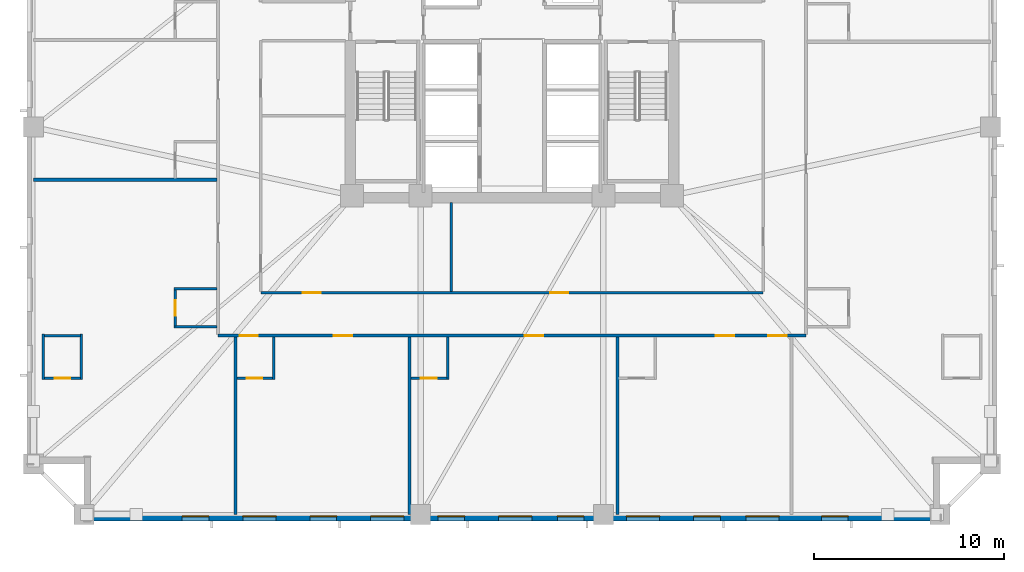
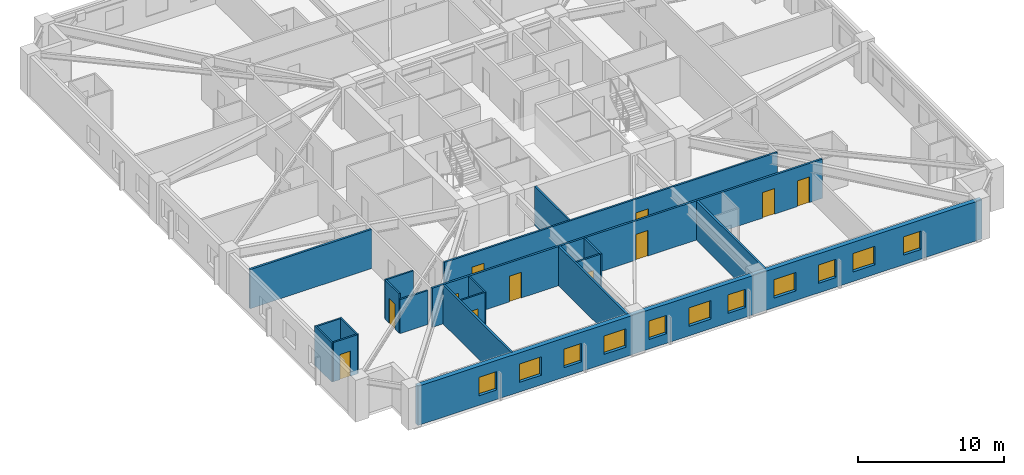
# One storey, part 2 of 12: 19 walls, 11 doors, 11 windows, 22 openings.
"""IFC4 building model written with IfcOpenShell, lengths in metres."""

from ifc_helpers import new_model, si_unit, direction, frame, frame_2d, origin, place, context, subcontext, project, spatial, rectangle, extrude, material, layer, layer_set, type_object, element, fill, save


model = new_model("IFC4")

# Units and contexts
model_context = context("Model", 3, precision=1e-05, world=origin(), true_north=direction((0.0, 1.0)))
body_context = subcontext(model_context, "Body", "Model", "MODEL_VIEW")
ifc_project = project(units=[si_unit("LENGTHUNIT", "METRE"), si_unit("AREAUNIT", "SQUARE_METRE"), si_unit("VOLUMEUNIT", "CUBIC_METRE"), si_unit("PLANEANGLEUNIT", "RADIAN"), si_unit("MASSUNIT", "GRAM", prefix="KILO")], contexts=[model_context])

# Site, building, storey
site_placement = place(None, origin())
site = spatial("IfcSite", under=ifc_project, at=site_placement, CompositionType="ELEMENT")
building_placement = place(site_placement, origin())
building = spatial("IfcBuilding", under=site, at=building_placement, Name="Cairnveth Concourse Tower", CompositionType="ELEMENT")
storey_placement = place(building_placement, frame((0.0, 0.0, 83.0)))
storey = spatial("IfcBuildingStorey", under=building, at=storey_placement, Name="L22", CompositionType="ELEMENT", Elevation=83.0)

# Wall, openings, doors
ifc_material_1 = material(Name="Gypsum Plasterboard Partition", Category="gypsum")
ifc_layer_1 = layer(ifc_material_1, 0.159912109375)
ifc_layer_set_1 = layer_set([ifc_layer_1], Name="Gypsum Plasterboard Partition")
wall_type_1 = type_object("IfcWallType", Name="ACOUSTIC PARTY WALL 180", PredefinedType="PARTITIONING", material=ifc_layer_set_1)
wall_1_placement = place(storey_placement, frame((36.550048828125, 23.25, 0.0), z_axis=(0.0, 0.0, 1.0), x_axis=(1.0, 0.0, 0.0)))
wall_1 = element("IfcWall", 1, at=wall_1_placement, inside=storey, type_object=wall_type_1, Name="Interior Wall IW-L22-037", PredefinedType="PARTITIONING", context=body_context, shape_type="SweptSolid", body=[
    extrude(rectangle(XDim=30.89990234375, YDim=0.159912109375, at=frame_2d((15.449951171875, 0.0))), origin(), (0.0, 0.0, 1.0), 3.280029296875),
])
opening_1_placement = place(wall_1_placement, frame((1.1298828125, 0.0, 0.0)))
opening_1 = element("IfcOpeningElement", 2, at=opening_1_placement, cuts=wall_1, Name="Opening ID09", PredefinedType="OPENING", context=body_context, shape_type="SweptSolid", body=[
    extrude(rectangle(XDim=0.9599609375, YDim=2.14990234375, at=frame_2d((0.47998046875, 1.074951171875))), frame((0.0, 0.08984375, 0.0), z_axis=(0.0, -1.0, 0.0), x_axis=(1.0, 0.0, 0.0)), (0.0, 0.0, 1.0), 0.179931640625),
])
opening_2_placement = place(wall_1_placement, frame((6.093017578125, 0.0, 0.0)))
opening_2 = element("IfcOpeningElement", 3, at=opening_2_placement, cuts=wall_1, Name="Opening ID09", PredefinedType="OPENING", context=body_context, shape_type="SweptSolid", body=[
    extrude(rectangle(XDim=0.9599609375, YDim=2.14990234375, at=frame_2d((0.47998046875, 1.074951171875))), frame((0.0, 0.08984375, 0.0), z_axis=(0.0, -1.0, 0.0), x_axis=(1.0, 0.0, 0.0)), (0.0, 0.0, 1.0), 0.179931640625),
])
opening_3_placement = place(wall_1_placement, frame((16.125, 0.0, 0.0)))
opening_3 = element("IfcOpeningElement", 4, at=opening_3_placement, cuts=wall_1, Name="Opening ID09", PredefinedType="OPENING", context=body_context, shape_type="SweptSolid", body=[
    extrude(rectangle(XDim=0.9599609375, YDim=2.14990234375, at=frame_2d((0.47998046875, 1.074951171875))), frame((0.0, 0.08984375, 0.0), z_axis=(0.0, -1.0, 0.0), x_axis=(1.0, 0.0, 0.0)), (0.0, 0.0, 1.0), 0.179931640625),
])
opening_4_placement = place(wall_1_placement, frame((26.156982421875, 0.0, 0.0)))
opening_4 = element("IfcOpeningElement", 5, at=opening_4_placement, cuts=wall_1, Name="Opening ID09", PredefinedType="OPENING", context=body_context, shape_type="SweptSolid", body=[
    extrude(rectangle(XDim=0.9599609375, YDim=2.14990234375, at=frame_2d((0.47998046875, 1.074951171875))), frame((0.0, 0.08984375, 0.0), z_axis=(0.0, -1.0, 0.0), x_axis=(1.0, 0.0, 0.0)), (0.0, 0.0, 1.0), 0.179931640625),
])
opening_5_placement = place(wall_1_placement, frame((28.919921875, 0.0, 0.0)))
opening_5 = element("IfcOpeningElement", 6, at=opening_5_placement, cuts=wall_1, Name="Opening ID09", PredefinedType="OPENING", context=body_context, shape_type="SweptSolid", body=[
    extrude(rectangle(XDim=0.9599609375, YDim=2.14990234375, at=frame_2d((0.47998046875, 1.074951171875))), frame((0.0, 0.08984375, 0.0), z_axis=(0.0, -1.0, 0.0), x_axis=(1.0, 0.0, 0.0)), (0.0, 0.0, 1.0), 0.179931640625),
])
ifc_material_2 = material(Name="Solid Core Hardwood Timber Leaf", Category="wood")
door_type_1 = type_object("IfcDoorType", Name="HOTEL ENTRANCE DOOR 960X2150", OperationType="NOTDEFINED", PredefinedType="DOOR", material=ifc_material_2)
door_1_placement = place(opening_1_placement, origin())
door_1 = element("IfcDoor", 7, at=door_1_placement, inside=storey, type_object=door_type_1, Name="Hotel Room Door L22-S1", OperationType="SINGLE_SWING_LEFT", OverallHeight=2.14990234375, OverallWidth=0.9599609375, PredefinedType="DOOR", context=body_context, shape_type="SweptSolid", body=[
    extrude(rectangle(XDim=0.9599609375, YDim=2.14990234375, at=frame_2d((0.47998046875, 1.074951171875))), frame((0.0, 0.02490234375, 0.0), z_axis=(0.0, -1.0, 0.0), x_axis=(1.0, 0.0, 0.0)), (0.0, 0.0, 1.0), 0.050048828125),
])
fill(opening_1, door_1)
door_2_placement = place(opening_2_placement, origin())
door_2 = element("IfcDoor", 8, at=door_2_placement, inside=storey, type_object=door_type_1, Name="Hotel Room Door L22-S2", OperationType="SINGLE_SWING_LEFT", OverallHeight=2.14990234375, OverallWidth=0.9599609375, PredefinedType="DOOR", context=body_context, shape_type="SweptSolid", body=[
    extrude(rectangle(XDim=0.9599609375, YDim=2.14990234375, at=frame_2d((0.47998046875, 1.074951171875))), frame((0.0, 0.02490234375, 0.0), z_axis=(0.0, -1.0, 0.0), x_axis=(1.0, 0.0, 0.0)), (0.0, 0.0, 1.0), 0.050048828125),
])
fill(opening_2, door_2)
door_3_placement = place(opening_3_placement, origin())
door_3 = element("IfcDoor", 9, at=door_3_placement, inside=storey, type_object=door_type_1, Name="Hotel Room Door L22-S3", OperationType="SINGLE_SWING_LEFT", OverallHeight=2.14990234375, OverallWidth=0.9599609375, PredefinedType="DOOR", context=body_context, shape_type="SweptSolid", body=[
    extrude(rectangle(XDim=0.9599609375, YDim=2.14990234375, at=frame_2d((0.47998046875, 1.074951171875))), frame((0.0, 0.02490234375, 0.0), z_axis=(0.0, -1.0, 0.0), x_axis=(1.0, 0.0, 0.0)), (0.0, 0.0, 1.0), 0.050048828125),
])
fill(opening_3, door_3)
door_4_placement = place(opening_4_placement, origin())
door_4 = element("IfcDoor", 10, at=door_4_placement, inside=storey, type_object=door_type_1, Name="Hotel Room Door L22-S4", OperationType="SINGLE_SWING_LEFT", OverallHeight=2.14990234375, OverallWidth=0.9599609375, PredefinedType="DOOR", context=body_context, shape_type="SweptSolid", body=[
    extrude(rectangle(XDim=0.9599609375, YDim=2.14990234375, at=frame_2d((0.47998046875, 1.074951171875))), frame((0.0, 0.02490234375, 0.0), z_axis=(0.0, -1.0, 0.0), x_axis=(1.0, 0.0, 0.0)), (0.0, 0.0, 1.0), 0.050048828125),
])
fill(opening_4, door_4)
door_5_placement = place(opening_5_placement, origin())
door_5 = element("IfcDoor", 11, at=door_5_placement, inside=storey, type_object=door_type_1, Name="Hotel Room Door L22-S5", OperationType="SINGLE_SWING_LEFT", OverallHeight=2.14990234375, OverallWidth=0.9599609375, PredefinedType="DOOR", context=body_context, shape_type="SweptSolid", body=[
    extrude(rectangle(XDim=0.9599609375, YDim=2.14990234375, at=frame_2d((0.47998046875, 1.074951171875))), frame((0.0, 0.02490234375, 0.0), z_axis=(0.0, -1.0, 0.0), x_axis=(1.0, 0.0, 0.0)), (0.0, 0.0, 1.0), 0.050048828125),
])
fill(opening_5, door_5)

# Walls
for number, where, z_axis, x_axis, name in (
    (12, (37.471923828125, 13.844970703125, 0.0), (0.0, 0.0, 1.0), (0.0, 1.0, 0.0), "Interior Wall IW-L22-058"),
    (13, (46.6240234375, 13.844970703125, 0.0), (0.0, 0.0, 1.0), (0.0, 1.0, 0.0), "Interior Wall IW-L22-061"),
    (14, (57.535888671875, 13.844970703125, 0.0), (0.0, 0.0, 1.0), (0.0, 1.0, 0.0), "Interior Wall IW-L22-064"),
):
    element("IfcWall", number, at=place(storey_placement, frame(where, z_axis=z_axis, x_axis=x_axis)), inside=storey, type_object=wall_type_1, Name=name, PredefinedType="PARTITIONING", context=body_context, shape_type="SweptSolid", body=[
        extrude(rectangle(XDim=9.340087890625, YDim=0.159912109375, at=frame_2d((4.669921875, 0.0))), origin(), (0.0, 0.0, 1.0), 3.280029296875),
    ])
wall_2_placement = place(storey_placement, frame((26.844970703125, 31.43701171875, 0.0), z_axis=(0.0, 0.0, 1.0), x_axis=(1.0, 0.0, 0.0)))
element("IfcWall", 15, at=wall_2_placement, inside=storey, type_object=wall_type_1, Name="Interior Wall IW-L22-085", PredefinedType="PARTITIONING", context=body_context, shape_type="SweptSolid", body=[
    extrude(rectangle(XDim=9.64013671875, YDim=0.159912109375, at=frame_2d((4.820068359375, 0.0))), origin(), (0.0, 0.0, 1.0), 3.280029296875),
])

# Wall, openings, doors
ifc_layer_2 = layer(ifc_material_1, 0.139892578125)
ifc_layer_set_2 = layer_set([ifc_layer_2], Name="Gypsum Plasterboard Partition")
wall_type_2 = type_object("IfcWallType", Name="GYPSUM STUD PARTITION 140", PredefinedType="PARTITIONING", material=ifc_layer_set_2)
wall_3_placement = place(storey_placement, frame((38.800048828125, 25.5, 0.0), z_axis=(0.0, 0.0, 1.0), x_axis=(1.0, 0.0, 0.0)))
wall_3 = element("IfcWall", 16, at=wall_3_placement, inside=storey, type_object=wall_type_2, Name="Interior Wall IW-L22-041", PredefinedType="PARTITIONING", context=body_context, shape_type="SweptSolid", body=[
    extrude(rectangle(XDim=26.39990234375, YDim=0.139892578125, at=frame_2d((13.199951171875, 0.0))), origin(), (0.0, 0.0, 1.0), 3.280029296875),
])
opening_6_placement = place(wall_3_placement, frame((2.199951171875, 0.0, 0.0)))
opening_6 = element("IfcOpeningElement", 17, at=opening_6_placement, cuts=wall_3, Name="Opening ID11", PredefinedType="OPENING", context=body_context, shape_type="SweptSolid", body=[
    extrude(rectangle(XDim=0.9599609375, YDim=2.1201171875, at=frame_2d((0.47998046875, 1.06005859375))), frame((0.0, 0.079833984375, 0.0), z_axis=(0.0, -1.0, 0.0), x_axis=(1.0, 0.0, 0.0)), (0.0, 0.0, 1.0), 0.159912109375),
])
opening_7_placement = place(wall_3_placement, frame((15.199951171875, 0.0, 0.0)))
opening_7 = element("IfcOpeningElement", 18, at=opening_7_placement, cuts=wall_3, Name="Opening ID11", PredefinedType="OPENING", context=body_context, shape_type="SweptSolid", body=[
    extrude(rectangle(XDim=0.9599609375, YDim=2.1201171875, at=frame_2d((0.47998046875, 1.06005859375))), frame((0.0, 0.079833984375, 0.0), z_axis=(0.0, -1.0, 0.0), x_axis=(1.0, 0.0, 0.0)), (0.0, 0.0, 1.0), 0.159912109375),
])
door_type_2 = type_object("IfcDoorType", Name="INTERIOR SINGLE DOOR 960X2150", OperationType="NOTDEFINED", PredefinedType="DOOR", material=ifc_material_2)
door_6_placement = place(opening_6_placement, origin())
door_6 = element("IfcDoor", 19, at=door_6_placement, inside=storey, type_object=door_type_2, Name="Interior Door DR-L22-013", OperationType="SINGLE_SWING_LEFT", OverallHeight=2.1201171875, OverallWidth=0.9599609375, PredefinedType="DOOR", context=body_context, shape_type="SweptSolid", body=[
    extrude(rectangle(XDim=0.9599609375, YDim=2.1201171875, at=frame_2d((0.47998046875, 1.06005859375))), frame((0.0, 0.02490234375, 0.0), z_axis=(0.0, -1.0, 0.0), x_axis=(1.0, 0.0, 0.0)), (0.0, 0.0, 1.0), 0.050048828125),
])
fill(opening_6, door_6)
door_7_placement = place(opening_7_placement, origin())
door_7 = element("IfcDoor", 20, at=door_7_placement, inside=storey, type_object=door_type_2, Name="Interior Door DR-L22-014", OperationType="SINGLE_SWING_RIGHT", OverallHeight=2.1201171875, OverallWidth=0.9599609375, PredefinedType="DOOR", context=body_context, shape_type="SweptSolid", body=[
    extrude(rectangle(XDim=0.9599609375, YDim=2.1201171875, at=frame_2d((0.47998046875, 1.06005859375))), frame((0.0, 0.02490234375, 0.0), z_axis=(0.0, -1.0, 0.0), x_axis=(1.0, 0.0, 0.0)), (0.0, 0.0, 1.0), 0.050048828125),
])
fill(opening_7, door_7)

# Walls
wall_4_placement = place(storey_placement, frame((48.800048828125, 25.554931640625, 0.0), z_axis=(0.0, 0.0, 1.0), x_axis=(0.0, 1.0, 0.0)))
element("IfcWall", 21, at=wall_4_placement, inside=storey, type_object=wall_type_2, Name="Interior Wall IW-L22-051", PredefinedType="PARTITIONING", context=body_context, shape_type="SweptSolid", body=[
    extrude(rectangle(XDim=4.68505859375, YDim=0.139892578125, at=frame_2d((2.342529296875, 0.0))), origin(), (0.0, 0.0, 1.0), 3.280029296875),
])
ifc_layer_3 = layer(ifc_material_1, 0.1298828125)
ifc_layer_set_3 = layer_set([ifc_layer_3], Name="Gypsum Plasterboard Partition")
wall_type_3 = type_object("IfcWallType", Name="WET AREA PARTITION 140", PredefinedType="PLUMBINGWALL", material=ifc_layer_set_3)
for number, where, z_axis, x_axis, name in (
    (22, (27.3701171875, 20.949951171875, 0.0), (0.0, 0.0, 1.0), (0.0, 1.0, 0.0), "Interior Wall IW-L22-054"),
    (23, (29.3701171875, 20.949951171875, 0.0), (0.0, 0.0, 1.0), (0.0, 1.0, 0.0), "Interior Wall IW-L22-055"),
):
    element("IfcWall", number, at=place(storey_placement, frame(where, z_axis=z_axis, x_axis=x_axis)), inside=storey, type_object=wall_type_3, Name=name, PredefinedType="PLUMBINGWALL", context=body_context, shape_type="SweptSolid", body=[
        extrude(rectangle(XDim=2.380126953125, YDim=0.1298828125, at=frame_2d((1.18994140625, 0.0))), origin(), (0.0, 0.0, 1.0), 3.280029296875),
    ])

# Wall, opening, door
wall_5_placement = place(storey_placement, frame((27.419921875, 21.0, 0.0), z_axis=(0.0, 0.0, 1.0), x_axis=(1.0, 0.0, 0.0)))
wall_5 = element("IfcWall", 24, at=wall_5_placement, inside=storey, type_object=wall_type_3, Name="Interior Wall IW-L22-056", PredefinedType="PLUMBINGWALL", context=body_context, shape_type="SweptSolid", body=[
    extrude(rectangle(XDim=1.900146484375, YDim=0.1298828125, at=frame_2d((0.9501953125, 0.0))), origin(), (0.0, 0.0, 1.0), 3.280029296875),
])
opening_8_placement = place(wall_5_placement, frame((0.5400390625, 0.0, 0.0)))
opening_8 = element("IfcOpeningElement", 25, at=opening_8_placement, cuts=wall_5, Name="Opening ID22", PredefinedType="OPENING", context=body_context, shape_type="SweptSolid", body=[
    extrude(rectangle(XDim=0.820068359375, YDim=2.10009765625, at=frame_2d((0.41015625, 1.050048828125))), frame((0.0, 0.074951171875, 0.0), z_axis=(0.0, -1.0, 0.0), x_axis=(1.0, 0.0, 0.0)), (0.0, 0.0, 1.0), 0.14990234375),
])
door_type_3 = type_object("IfcDoorType", Name="INTERIOR WC DOOR 820X2100", OperationType="NOTDEFINED", PredefinedType="DOOR", material=ifc_material_2)
door_8_placement = place(opening_8_placement, origin())
door_8 = element("IfcDoor", 26, at=door_8_placement, inside=storey, type_object=door_type_3, Name="En-Suite Door L22-S1", OperationType="SINGLE_SWING_RIGHT", OverallHeight=2.10009765625, OverallWidth=0.820068359375, PredefinedType="DOOR", context=body_context, shape_type="SweptSolid", body=[
    extrude(rectangle(XDim=0.820068359375, YDim=2.10009765625, at=frame_2d((0.41015625, 1.050048828125))), frame((0.0, 0.02490234375, 0.0), z_axis=(0.0, -1.0, 0.0), x_axis=(1.0, 0.0, 0.0)), (0.0, 0.0, 1.0), 0.050048828125),
])
fill(opening_8, door_8)

# Walls
wall_6_placement = place(storey_placement, frame((27.419921875, 23.25, 0.0), z_axis=(0.0, 0.0, 1.0), x_axis=(1.0, 0.0, 0.0)))
element("IfcWall", 27, at=wall_6_placement, inside=storey, type_object=wall_type_3, Name="Interior Wall IW-L22-057", PredefinedType="PLUMBINGWALL", context=body_context, shape_type="SweptSolid", body=[
    extrude(rectangle(XDim=1.900146484375, YDim=0.1298828125, at=frame_2d((0.9501953125, 0.0))), origin(), (0.0, 0.0, 1.0), 3.280029296875),
])
wall_7_placement = place(storey_placement, frame((39.471923828125, 20.949951171875, 0.0), z_axis=(0.0, 0.0, 1.0), x_axis=(0.0, 1.0, 0.0)))
element("IfcWall", 28, at=wall_7_placement, inside=storey, type_object=wall_type_3, Name="Interior Wall IW-L22-059", PredefinedType="PLUMBINGWALL", context=body_context, shape_type="SweptSolid", body=[
    extrude(rectangle(XDim=2.235107421875, YDim=0.1298828125, at=frame_2d((1.11767578125, 0.0))), origin(), (0.0, 0.0, 1.0), 3.280029296875),
])

# Wall, opening, door
wall_8_placement = place(storey_placement, frame((37.537109375, 21.0, 0.0), z_axis=(0.0, 0.0, 1.0), x_axis=(1.0, 0.0, 0.0)))
wall_8 = element("IfcWall", 29, at=wall_8_placement, inside=storey, type_object=wall_type_3, Name="Interior Wall IW-L22-060", PredefinedType="PLUMBINGWALL", context=body_context, shape_type="SweptSolid", body=[
    extrude(rectangle(XDim=1.885009765625, YDim=0.1298828125, at=frame_2d((0.9423828125, 0.0))), origin(), (0.0, 0.0, 1.0), 3.280029296875),
])
opening_9_placement = place(wall_8_placement, frame((0.52490234375, 0.0, 0.0)))
opening_9 = element("IfcOpeningElement", 30, at=opening_9_placement, cuts=wall_8, Name="Opening ID22", PredefinedType="OPENING", context=body_context, shape_type="SweptSolid", body=[
    extrude(rectangle(XDim=0.820068359375, YDim=2.10009765625, at=frame_2d((0.41015625, 1.050048828125))), frame((0.0, 0.074951171875, 0.0), z_axis=(0.0, -1.0, 0.0), x_axis=(1.0, 0.0, 0.0)), (0.0, 0.0, 1.0), 0.14990234375),
])
door_9_placement = place(opening_9_placement, origin())
door_9 = element("IfcDoor", 31, at=door_9_placement, inside=storey, type_object=door_type_3, Name="En-Suite Door L22-S2", OperationType="SINGLE_SWING_RIGHT", OverallHeight=2.10009765625, OverallWidth=0.820068359375, PredefinedType="DOOR", context=body_context, shape_type="SweptSolid", body=[
    extrude(rectangle(XDim=0.820068359375, YDim=2.10009765625, at=frame_2d((0.41015625, 1.050048828125))), frame((0.0, 0.02490234375, 0.0), z_axis=(0.0, -1.0, 0.0), x_axis=(1.0, 0.0, 0.0)), (0.0, 0.0, 1.0), 0.050048828125),
])
fill(opening_9, door_9)

# Wall
wall_9_placement = place(storey_placement, frame((48.6240234375, 20.949951171875, 0.0), z_axis=(0.0, 0.0, 1.0), x_axis=(0.0, 1.0, 0.0)))
element("IfcWall", 32, at=wall_9_placement, inside=storey, type_object=wall_type_3, Name="Interior Wall IW-L22-062", PredefinedType="PLUMBINGWALL", context=body_context, shape_type="SweptSolid", body=[
    extrude(rectangle(XDim=2.235107421875, YDim=0.1298828125, at=frame_2d((1.11767578125, 0.0))), origin(), (0.0, 0.0, 1.0), 3.280029296875),
])

# Wall, opening, door
wall_10_placement = place(storey_placement, frame((46.68896484375, 21.0, 0.0), z_axis=(0.0, 0.0, 1.0), x_axis=(1.0, 0.0, 0.0)))
wall_10 = element("IfcWall", 33, at=wall_10_placement, inside=storey, type_object=wall_type_3, Name="Interior Wall IW-L22-063", PredefinedType="PLUMBINGWALL", context=body_context, shape_type="SweptSolid", body=[
    extrude(rectangle(XDim=1.885009765625, YDim=0.1298828125, at=frame_2d((0.9423828125, 0.0))), origin(), (0.0, 0.0, 1.0), 3.280029296875),
])
opening_10_placement = place(wall_10_placement, frame((0.52490234375, 0.0, 0.0)))
opening_10 = element("IfcOpeningElement", 34, at=opening_10_placement, cuts=wall_10, Name="Opening ID22", PredefinedType="OPENING", context=body_context, shape_type="SweptSolid", body=[
    extrude(rectangle(XDim=0.820068359375, YDim=2.10009765625, at=frame_2d((0.41015625, 1.050048828125))), frame((0.0, 0.074951171875, 0.0), z_axis=(0.0, -1.0, 0.0), x_axis=(1.0, 0.0, 0.0)), (0.0, 0.0, 1.0), 0.14990234375),
])
door_10_placement = place(opening_10_placement, origin())
door_10 = element("IfcDoor", 35, at=door_10_placement, inside=storey, type_object=door_type_3, Name="En-Suite Door L22-S3", OperationType="SINGLE_SWING_RIGHT", OverallHeight=2.10009765625, OverallWidth=0.820068359375, PredefinedType="DOOR", context=body_context, shape_type="SweptSolid", body=[
    extrude(rectangle(XDim=0.820068359375, YDim=2.10009765625, at=frame_2d((0.41015625, 1.050048828125))), frame((0.0, 0.02490234375, 0.0), z_axis=(0.0, -1.0, 0.0), x_axis=(1.0, 0.0, 0.0)), (0.0, 0.0, 1.0), 0.050048828125),
])
fill(opening_10, door_10)

# Walls
wall_11_placement = place(storey_placement, frame((34.25, 23.699951171875, 0.0), z_axis=(0.0, 0.0, 1.0), x_axis=(1.0, 0.0, 0.0)))
element("IfcWall", 36, at=wall_11_placement, inside=storey, type_object=wall_type_3, Name="Interior Wall IW-L22-082", PredefinedType="PLUMBINGWALL", context=body_context, shape_type="SweptSolid", body=[
    extrude(rectangle(XDim=2.235107421875, YDim=0.1298828125, at=frame_2d((1.11767578125, 0.0))), origin(), (0.0, 0.0, 1.0), 2.84912109375),
])
wall_12_placement = place(storey_placement, frame((34.25, 25.699951171875, 0.0), z_axis=(0.0, 0.0, 1.0), x_axis=(1.0, 0.0, 0.0)))
element("IfcWall", 37, at=wall_12_placement, inside=storey, type_object=wall_type_3, Name="Interior Wall IW-L22-083", PredefinedType="PLUMBINGWALL", context=body_context, shape_type="SweptSolid", body=[
    extrude(rectangle(XDim=2.235107421875, YDim=0.1298828125, at=frame_2d((1.11767578125, 0.0))), origin(), (0.0, 0.0, 1.0), 3.280029296875),
])

# Wall, opening, door
wall_13_placement = place(storey_placement, frame((34.300048828125, 23.75, 0.0), z_axis=(0.0, 0.0, 1.0), x_axis=(0.0, 1.0, 0.0)))
wall_13 = element("IfcWall", 38, at=wall_13_placement, inside=storey, type_object=wall_type_3, Name="Interior Wall IW-L22-084", PredefinedType="PLUMBINGWALL", context=body_context, shape_type="SweptSolid", body=[
    extrude(rectangle(XDim=1.89990234375, YDim=0.1298828125, at=frame_2d((0.949951171875, 0.0))), origin(), (0.0, 0.0, 1.0), 3.280029296875),
])
opening_11_placement = place(wall_13_placement, frame((0.5400390625, 0.0, 0.0)))
opening_11 = element("IfcOpeningElement", 39, at=opening_11_placement, cuts=wall_13, Name="Opening ID22", PredefinedType="OPENING", context=body_context, shape_type="SweptSolid", body=[
    extrude(rectangle(XDim=0.820068359375, YDim=2.10009765625, at=frame_2d((0.41015625, 1.050048828125))), frame((0.0, 0.074951171875, 0.0), z_axis=(0.0, -1.0, 0.0), x_axis=(1.0, 0.0, 0.0)), (0.0, 0.0, 1.0), 0.14990234375),
])
door_11_placement = place(opening_11_placement, origin())
door_11 = element("IfcDoor", 40, at=door_11_placement, inside=storey, type_object=door_type_3, Name="En-Suite Door L22-W1", OperationType="SINGLE_SWING_RIGHT", OverallHeight=2.10009765625, OverallWidth=0.820068359375, PredefinedType="DOOR", context=body_context, shape_type="SweptSolid", body=[
    extrude(rectangle(XDim=0.820068359375, YDim=2.10009765625, at=frame_2d((0.41015625, 1.050048828125))), frame((0.0, 0.02490234375, 0.0), z_axis=(0.0, -1.0, 0.0), x_axis=(1.0, 0.0, 0.0)), (0.0, 0.0, 1.0), 0.050048828125),
])
fill(opening_11, door_11)

# Wall, openings, windows
ifc_material_3 = material(Name="Hawthorn Red-Ochre Fired Clay Brick Masonry", Category="masonry")
ifc_layer_4 = layer(ifc_material_3, 0.360107421875)
ifc_layer_set_4 = layer_set([ifc_layer_4], Name="Hawthorn Red-Ochre Fired Clay Brick Masonry")
wall_type_4 = type_object("IfcWallType", Name="ZONE 1 BRICK PIER SPANDREL WALL 360", PredefinedType="SOLIDWALL", material=ifc_layer_set_4)
wall_14_placement = place(storey_placement, frame((74.5, 13.679931640625, 0.0), z_axis=(0.0, 0.0, 1.0), x_axis=(-1.0, 0.0, 0.0)))
wall_14 = element("IfcWall", 41, at=wall_14_placement, inside=storey, type_object=wall_type_4, Name="Exterior Wall EW-L22-S03", PredefinedType="SOLIDWALL", context=body_context, shape_type="SweptSolid", body=[
    extrude(rectangle(XDim=44.662109375, YDim=0.360107421875, at=frame_2d((22.3310546875, 0.0))), origin(), (0.0, 0.0, 1.0), 3.280029296875),
])
opening_12_placement = place(wall_14_placement, frame((4.830078125, 0.0, 0.800048828125)))
opening_12 = element("IfcOpeningElement", 42, at=opening_12_placement, cuts=wall_14, Name="Opening W05", PredefinedType="OPENING", context=body_context, shape_type="SweptSolid", body=[
    extrude(rectangle(XDim=1.39990234375, YDim=1.5439453125, at=frame_2d((0.699951171875, 0.77197265625))), frame((0.0, 0.18994140625, 0.0), z_axis=(0.0, -1.0, 0.0), x_axis=(1.0, 0.0, 0.0)), (0.0, 0.0, 1.0), 0.380126953125),
])
opening_13_placement = place(wall_14_placement, frame((8.46533203125, 0.0, 0.800048828125)))
opening_13 = element("IfcOpeningElement", 43, at=opening_13_placement, cuts=wall_14, Name="Opening W06", PredefinedType="OPENING", context=body_context, shape_type="SweptSolid", body=[
    extrude(rectangle(XDim=1.75, YDim=1.5439453125, at=frame_2d((0.875, 0.77197265625))), frame((0.0, 0.18994140625, 0.0), z_axis=(0.0, -1.0, 0.0), x_axis=(1.0, 0.0, 0.0)), (0.0, 0.0, 1.0), 0.380126953125),
])
opening_14_placement = place(wall_14_placement, frame((11.550537109375, 0.0, 0.800048828125)))
opening_14 = element("IfcOpeningElement", 44, at=opening_14_placement, cuts=wall_14, Name="Opening W05", PredefinedType="OPENING", context=body_context, shape_type="SweptSolid", body=[
    extrude(rectangle(XDim=1.39990234375, YDim=1.5439453125, at=frame_2d((0.699951171875, 0.77197265625))), frame((0.0, 0.18994140625, 0.0), z_axis=(0.0, -1.0, 0.0), x_axis=(1.0, 0.0, 0.0)), (0.0, 0.0, 1.0), 0.380126953125),
])
opening_15_placement = place(wall_14_placement, frame((14.735595703125, 0.0, 0.800048828125)))
opening_15 = element("IfcOpeningElement", 45, at=opening_15_placement, cuts=wall_14, Name="Opening W06", PredefinedType="OPENING", context=body_context, shape_type="SweptSolid", body=[
    extrude(rectangle(XDim=1.75, YDim=1.5439453125, at=frame_2d((0.875, 0.77197265625))), frame((0.0, 0.18994140625, 0.0), z_axis=(0.0, -1.0, 0.0), x_axis=(1.0, 0.0, 0.0)), (0.0, 0.0, 1.0), 0.380126953125),
])
opening_16_placement = place(wall_14_placement, frame((18.720703125, 0.0, 0.800048828125)))
opening_16 = element("IfcOpeningElement", 46, at=opening_16_placement, cuts=wall_14, Name="Opening W05", PredefinedType="OPENING", context=body_context, shape_type="SweptSolid", body=[
    extrude(rectangle(XDim=1.39990234375, YDim=1.5439453125, at=frame_2d((0.699951171875, 0.77197265625))), frame((0.0, 0.18994140625, 0.0), z_axis=(0.0, -1.0, 0.0), x_axis=(1.0, 0.0, 0.0)), (0.0, 0.0, 1.0), 0.380126953125),
])
opening_17_placement = place(wall_14_placement, frame((21.4560546875, 0.0, 0.800048828125)))
opening_17 = element("IfcOpeningElement", 47, at=opening_17_placement, cuts=wall_14, Name="Opening W06", PredefinedType="OPENING", context=body_context, shape_type="SweptSolid", body=[
    extrude(rectangle(XDim=1.75, YDim=1.5439453125, at=frame_2d((0.875, 0.77197265625))), frame((0.0, 0.18994140625, 0.0), z_axis=(0.0, -1.0, 0.0), x_axis=(1.0, 0.0, 0.0)), (0.0, 0.0, 1.0), 0.380126953125),
])
opening_18_placement = place(wall_14_placement, frame((24.9912109375, 0.0, 0.800048828125)))
opening_18 = element("IfcOpeningElement", 48, at=opening_18_placement, cuts=wall_14, Name="Opening W05", PredefinedType="OPENING", context=body_context, shape_type="SweptSolid", body=[
    extrude(rectangle(XDim=1.39990234375, YDim=1.5439453125, at=frame_2d((0.699951171875, 0.77197265625))), frame((0.0, 0.18994140625, 0.0), z_axis=(0.0, -1.0, 0.0), x_axis=(1.0, 0.0, 0.0)), (0.0, 0.0, 1.0), 0.380126953125),
])
opening_19_placement = place(wall_14_placement, frame((28.176513671875, 0.0, 0.800048828125)))
opening_19 = element("IfcOpeningElement", 49, at=opening_19_placement, cuts=wall_14, Name="Opening W06", PredefinedType="OPENING", context=body_context, shape_type="SweptSolid", body=[
    extrude(rectangle(XDim=1.75, YDim=1.5439453125, at=frame_2d((0.875, 0.77197265625))), frame((0.0, 0.18994140625, 0.0), z_axis=(0.0, -1.0, 0.0), x_axis=(1.0, 0.0, 0.0)), (0.0, 0.0, 1.0), 0.380126953125),
])
opening_20_placement = place(wall_14_placement, frame((31.71142578125, 0.0, 0.800048828125)))
opening_20 = element("IfcOpeningElement", 50, at=opening_20_placement, cuts=wall_14, Name="Opening W05", PredefinedType="OPENING", context=body_context, shape_type="SweptSolid", body=[
    extrude(rectangle(XDim=1.39990234375, YDim=1.5439453125, at=frame_2d((0.699951171875, 0.77197265625))), frame((0.0, 0.18994140625, 0.0), z_axis=(0.0, -1.0, 0.0), x_axis=(1.0, 0.0, 0.0)), (0.0, 0.0, 1.0), 0.380126953125),
])
opening_21_placement = place(wall_14_placement, frame((34.896728515625, 0.0, 0.800048828125)))
opening_21 = element("IfcOpeningElement", 51, at=opening_21_placement, cuts=wall_14, Name="Opening W06", PredefinedType="OPENING", context=body_context, shape_type="SweptSolid", body=[
    extrude(rectangle(XDim=1.75, YDim=1.5439453125, at=frame_2d((0.875, 0.77197265625))), frame((0.0, 0.18994140625, 0.0), z_axis=(0.0, -1.0, 0.0), x_axis=(1.0, 0.0, 0.0)), (0.0, 0.0, 1.0), 0.380126953125),
])
opening_22_placement = place(wall_14_placement, frame((38.431884765625, 0.0, 0.800048828125)))
opening_22 = element("IfcOpeningElement", 52, at=opening_22_placement, cuts=wall_14, Name="Opening W05", PredefinedType="OPENING", context=body_context, shape_type="SweptSolid", body=[
    extrude(rectangle(XDim=1.39990234375, YDim=1.5439453125, at=frame_2d((0.699951171875, 0.77197265625))), frame((0.0, 0.18994140625, 0.0), z_axis=(0.0, -1.0, 0.0), x_axis=(1.0, 0.0, 0.0)), (0.0, 0.0, 1.0), 0.380126953125),
])
ifc_material_4 = material(Name="Double Glazed Low-E Clear Glass", Category="glass")
window_type_1 = type_object("IfcWindowType", Name="DEEP-SET HOTEL CASEMENT WINDOW 1400X1750", PartitioningType="DOUBLE_PANEL_VERTICAL", PredefinedType="WINDOW", material=ifc_material_4)
window_1_placement = place(opening_12_placement, origin())
window_1 = element("IfcWindow", 53, at=window_1_placement, inside=storey, type_object=window_type_1, Name="Gothic Lancet Window L22-3-1", OverallHeight=1.5439453125, OverallWidth=1.39990234375, PartitioningType="SINGLE_PANEL", PredefinedType="WINDOW", context=body_context, shape_type="SweptSolid", body=[
    extrude(rectangle(XDim=1.39990234375, YDim=1.5439453125, at=frame_2d((0.699951171875, 0.77197265625))), frame((0.0, -0.050048828125, 0.0), z_axis=(0.0, -1.0, 0.0), x_axis=(1.0, 0.0, 0.0)), (0.0, 0.0, 1.0), 0.06005859375),
])
fill(opening_12, window_1)
window_2_placement = place(opening_14_placement, origin())
window_2 = element("IfcWindow", 54, at=window_2_placement, inside=storey, type_object=window_type_1, Name="Gothic Lancet Window L22-3-3", OverallHeight=1.5439453125, OverallWidth=1.39990234375, PartitioningType="SINGLE_PANEL", PredefinedType="WINDOW", context=body_context, shape_type="SweptSolid", body=[
    extrude(rectangle(XDim=1.39990234375, YDim=1.5439453125, at=frame_2d((0.699951171875, 0.77197265625))), frame((0.0, -0.050048828125, 0.0), z_axis=(0.0, -1.0, 0.0), x_axis=(1.0, 0.0, 0.0)), (0.0, 0.0, 1.0), 0.06005859375),
])
fill(opening_14, window_2)
window_3_placement = place(opening_16_placement, origin())
window_3 = element("IfcWindow", 55, at=window_3_placement, inside=storey, type_object=window_type_1, Name="Gothic Lancet Window L22-3-5", OverallHeight=1.5439453125, OverallWidth=1.39990234375, PartitioningType="SINGLE_PANEL", PredefinedType="WINDOW", context=body_context, shape_type="SweptSolid", body=[
    extrude(rectangle(XDim=1.39990234375, YDim=1.5439453125, at=frame_2d((0.699951171875, 0.77197265625))), frame((0.0, -0.050048828125, 0.0), z_axis=(0.0, -1.0, 0.0), x_axis=(1.0, 0.0, 0.0)), (0.0, 0.0, 1.0), 0.06005859375),
])
fill(opening_16, window_3)
window_4_placement = place(opening_18_placement, origin())
window_4 = element("IfcWindow", 56, at=window_4_placement, inside=storey, type_object=window_type_1, Name="Gothic Lancet Window L22-3-7", OverallHeight=1.5439453125, OverallWidth=1.39990234375, PartitioningType="SINGLE_PANEL", PredefinedType="WINDOW", context=body_context, shape_type="SweptSolid", body=[
    extrude(rectangle(XDim=1.39990234375, YDim=1.5439453125, at=frame_2d((0.699951171875, 0.77197265625))), frame((0.0, -0.050048828125, 0.0), z_axis=(0.0, -1.0, 0.0), x_axis=(1.0, 0.0, 0.0)), (0.0, 0.0, 1.0), 0.06005859375),
])
fill(opening_18, window_4)
window_5_placement = place(opening_20_placement, origin())
window_5 = element("IfcWindow", 57, at=window_5_placement, inside=storey, type_object=window_type_1, Name="Gothic Lancet Window L22-3-9", OverallHeight=1.5439453125, OverallWidth=1.39990234375, PartitioningType="SINGLE_PANEL", PredefinedType="WINDOW", context=body_context, shape_type="SweptSolid", body=[
    extrude(rectangle(XDim=1.39990234375, YDim=1.5439453125, at=frame_2d((0.699951171875, 0.77197265625))), frame((0.0, -0.050048828125, 0.0), z_axis=(0.0, -1.0, 0.0), x_axis=(1.0, 0.0, 0.0)), (0.0, 0.0, 1.0), 0.06005859375),
])
fill(opening_20, window_5)
window_6_placement = place(opening_22_placement, origin())
window_6 = element("IfcWindow", 58, at=window_6_placement, inside=storey, type_object=window_type_1, Name="Gothic Lancet Window L22-3-11", OverallHeight=1.5439453125, OverallWidth=1.39990234375, PartitioningType="SINGLE_PANEL", PredefinedType="WINDOW", context=body_context, shape_type="SweptSolid", body=[
    extrude(rectangle(XDim=1.39990234375, YDim=1.5439453125, at=frame_2d((0.699951171875, 0.77197265625))), frame((0.0, -0.050048828125, 0.0), z_axis=(0.0, -1.0, 0.0), x_axis=(1.0, 0.0, 0.0)), (0.0, 0.0, 1.0), 0.06005859375),
])
fill(opening_22, window_6)
window_type_2 = type_object("IfcWindowType", Name="DEEP-SET HOTEL SUITE WINDOW 1750X1800", PartitioningType="DOUBLE_PANEL_VERTICAL", PredefinedType="WINDOW", material=ifc_material_4)
window_7_placement = place(opening_13_placement, origin())
window_7 = element("IfcWindow", 59, at=window_7_placement, inside=storey, type_object=window_type_2, Name="Gothic Lancet Window L22-3-2", OverallHeight=1.5439453125, OverallWidth=1.75, PartitioningType="SINGLE_PANEL", PredefinedType="WINDOW", context=body_context, shape_type="SweptSolid", body=[
    extrude(rectangle(XDim=1.75, YDim=1.5439453125, at=frame_2d((0.875, 0.77197265625))), frame((0.0, -0.050048828125, 0.0), z_axis=(0.0, -1.0, 0.0), x_axis=(1.0, 0.0, 0.0)), (0.0, 0.0, 1.0), 0.06005859375),
])
fill(opening_13, window_7)
window_8_placement = place(opening_15_placement, origin())
window_8 = element("IfcWindow", 60, at=window_8_placement, inside=storey, type_object=window_type_2, Name="Gothic Lancet Window L22-3-4", OverallHeight=1.5439453125, OverallWidth=1.75, PartitioningType="SINGLE_PANEL", PredefinedType="WINDOW", context=body_context, shape_type="SweptSolid", body=[
    extrude(rectangle(XDim=1.75, YDim=1.5439453125, at=frame_2d((0.875, 0.77197265625))), frame((0.0, -0.050048828125, 0.0), z_axis=(0.0, -1.0, 0.0), x_axis=(1.0, 0.0, 0.0)), (0.0, 0.0, 1.0), 0.06005859375),
])
fill(opening_15, window_8)
window_9_placement = place(opening_17_placement, origin())
window_9 = element("IfcWindow", 61, at=window_9_placement, inside=storey, type_object=window_type_2, Name="Gothic Lancet Window L22-3-6", OverallHeight=1.5439453125, OverallWidth=1.75, PartitioningType="SINGLE_PANEL", PredefinedType="WINDOW", context=body_context, shape_type="SweptSolid", body=[
    extrude(rectangle(XDim=1.75, YDim=1.5439453125, at=frame_2d((0.875, 0.77197265625))), frame((0.0, -0.050048828125, 0.0), z_axis=(0.0, -1.0, 0.0), x_axis=(1.0, 0.0, 0.0)), (0.0, 0.0, 1.0), 0.06005859375),
])
fill(opening_17, window_9)
window_10_placement = place(opening_19_placement, origin())
window_10 = element("IfcWindow", 62, at=window_10_placement, inside=storey, type_object=window_type_2, Name="Gothic Lancet Window L22-3-8", OverallHeight=1.5439453125, OverallWidth=1.75, PartitioningType="SINGLE_PANEL", PredefinedType="WINDOW", context=body_context, shape_type="SweptSolid", body=[
    extrude(rectangle(XDim=1.75, YDim=1.5439453125, at=frame_2d((0.875, 0.77197265625))), frame((0.0, -0.050048828125, 0.0), z_axis=(0.0, -1.0, 0.0), x_axis=(1.0, 0.0, 0.0)), (0.0, 0.0, 1.0), 0.06005859375),
])
fill(opening_19, window_10)
window_11_placement = place(opening_21_placement, origin())
window_11 = element("IfcWindow", 63, at=window_11_placement, inside=storey, type_object=window_type_2, Name="Gothic Lancet Window L22-3-10", OverallHeight=1.5439453125, OverallWidth=1.75, PartitioningType="SINGLE_PANEL", PredefinedType="WINDOW", context=body_context, shape_type="SweptSolid", body=[
    extrude(rectangle(XDim=1.75, YDim=1.5439453125, at=frame_2d((0.875, 0.77197265625))), frame((0.0, -0.050048828125, 0.0), z_axis=(0.0, -1.0, 0.0), x_axis=(1.0, 0.0, 0.0)), (0.0, 0.0, 1.0), 0.06005859375),
])
fill(opening_21, window_11)

save(model, "model.ifc")
